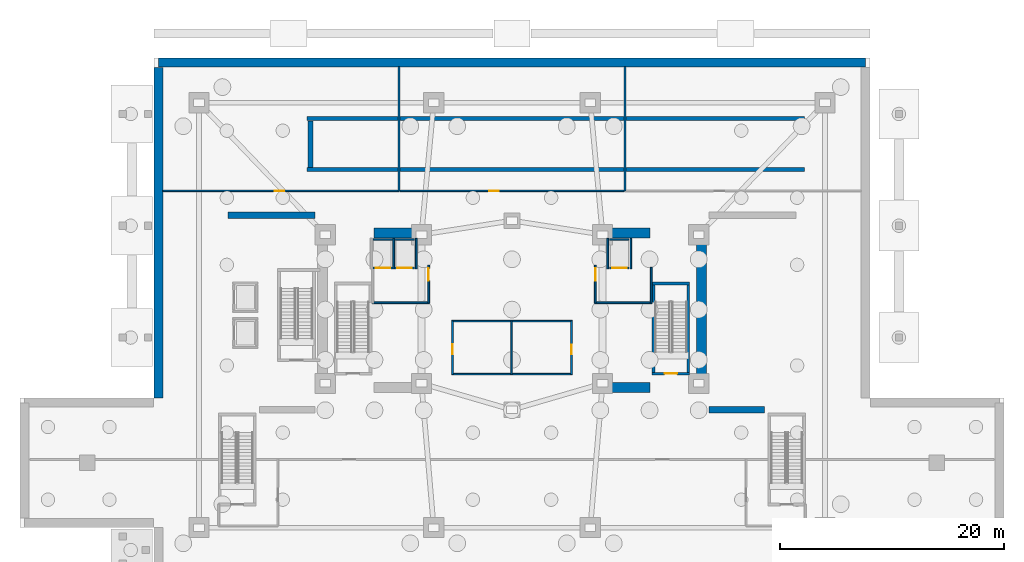
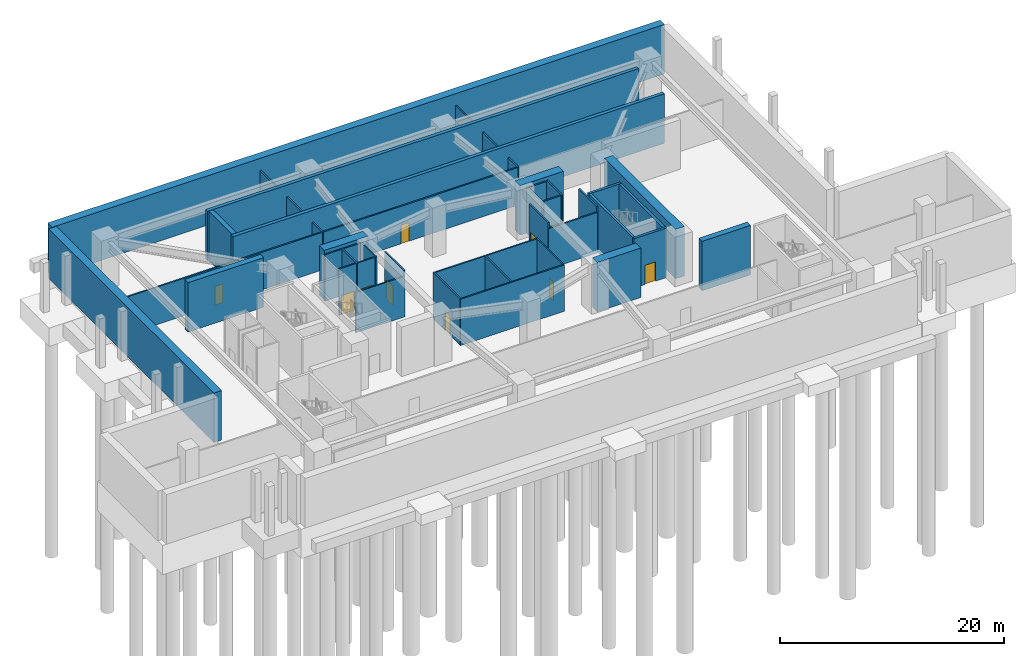
# One storey, part 4 of 9: 39 walls, 10 doors, 10 openings.
"""IFC4 building model written with IfcOpenShell, lengths in metres."""

from ifc_helpers import new_model, si_unit, direction, frame, frame_2d, origin, place, context, subcontext, project, spatial, rectangle, extrude, material, layer, layer_set, type_object, element, fill, save


model = new_model("IFC4")

# Units and contexts
model_context = context("Model", 3, precision=1e-05, world=origin(), true_north=direction((0.0, 1.0)))
body_context = subcontext(model_context, "Body", "Model", "MODEL_VIEW")
ifc_project = project(units=[si_unit("LENGTHUNIT", "METRE"), si_unit("AREAUNIT", "SQUARE_METRE"), si_unit("VOLUMEUNIT", "CUBIC_METRE"), si_unit("PLANEANGLEUNIT", "RADIAN"), si_unit("MASSUNIT", "GRAM", prefix="KILO")], contexts=[model_context])

# Site, building, storey
site_placement = place(None, origin())
site = spatial("IfcSite", under=ifc_project, at=site_placement, CompositionType="ELEMENT")
building_placement = place(site_placement, origin())
building = spatial("IfcBuilding", under=site, at=building_placement, Name="Solvane Sanctuary Tower", CompositionType="ELEMENT")
storey_placement = place(building_placement, frame((0.0, 0.0, -10.800048828125)))
storey = spatial("IfcBuildingStorey", under=building, at=storey_placement, Name="B02", CompositionType="ELEMENT", Elevation=-10.800048828125)

# Walls
ifc_material_1 = material(Name="Concrete C70/85", Category="concrete")
ifc_layer_1 = layer(ifc_material_1, 0.89990234375, Name="Concrete C70/85")
ifc_layer_set_1 = layer_set([ifc_layer_1], Name="Concrete C70/85")
wall_type_1 = type_object("IfcWallType", Name="Wall W-CORE-900", PredefinedType="SHEAR", material=ifc_layer_set_1)
wall_1_placement = place(storey_placement, frame((19.64990234375, 30.35009765625, 0.0), z_axis=(0.0, 0.0, 1.0), x_axis=(1.0, 0.0, 0.0)))
element("IfcWall", 1, at=wall_1_placement, inside=storey, type_object=wall_type_1, Name="B02 Core Shear Wall WC-N", PredefinedType="SHEAR", context=body_context, shape_type="SweptSolid", body=[
    extrude(rectangle(XDim=4.5, YDim=0.89990234375, at=frame_2d((2.25, 0.0))), origin(), (0.0, 0.0, 1.0), 5.400146484375),
])
wall_2_placement = place(storey_placement, frame((48.949951171875, 17.050048828125, 0.0), z_axis=(0.0, 0.0, 1.0), x_axis=(0.0, 1.0, 0.0)))
element("IfcWall", 2, at=wall_2_placement, inside=storey, type_object=wall_type_1, Name="B02 Core Shear Wall EC-E", PredefinedType="SHEAR", context=body_context, shape_type="SweptSolid", body=[
    extrude(rectangle(XDim=12.800048828125, YDim=0.89990234375, at=frame_2d((6.39990234375, 0.0))), origin(), (0.0, 0.0, 1.0), 5.400146484375),
])
for number, where, z_axis, x_axis, name in (
    (3, (39.85009765625, 16.550048828125, 0.0), (0.0, 0.0, 1.0), (1.0, 0.0, 0.0), "B02 Core Shear Wall EC-S"),
    (4, (39.85009765625, 30.35009765625, 0.0), (0.0, 0.0, 1.0), (1.0, 0.0, 0.0), "B02 Core Shear Wall EC-N"),
):
    element("IfcWall", number, at=place(storey_placement, frame(where, z_axis=z_axis, x_axis=x_axis)), inside=storey, type_object=wall_type_1, Name=name, PredefinedType="SHEAR", context=body_context, shape_type="SweptSolid", body=[
        extrude(rectangle(XDim=4.5, YDim=0.89990234375, at=frame_2d((2.25, 0.0))), origin(), (0.0, 0.0, 1.0), 5.400146484375),
    ])
ifc_material_2 = material(Name="Acoustic Gypsum Partition Board")
ifc_layer_2 = layer(ifc_material_2, 0.14990234375, Name="Acoustic Gypsum Partition Board")
ifc_layer_set_2 = layer_set([ifc_layer_2], Name="Acoustic Gypsum Partition Board")
wall_type_2 = type_object("IfcWallType", Name="Wall W-CORR-150", PredefinedType="PARTITIONING", material=ifc_layer_set_2)
wall_3_placement = place(storey_placement, frame((19.52001953125, 24.1201171875, 0.0), z_axis=(0.0, 0.0, 1.0), x_axis=(1.0, 0.0, 0.0)))
element("IfcWall", 5, at=wall_3_placement, inside=storey, type_object=wall_type_2, Name="B02 West Firefighting Lobby South Wall", PredefinedType="PARTITIONING", context=body_context, shape_type="SweptSolid", body=[
    extrude(rectangle(XDim=5.080078125, YDim=0.14990234375, at=frame_2d((2.5400390625, 0.0))), origin(), (0.0, 0.0, 1.0), 4.420166015625),
])

# Wall, opening, door
wall_4_placement = place(storey_placement, frame((24.550048828125, 24.080078125, 0.0), z_axis=(0.0, 0.0, 1.0), x_axis=(0.0, 1.0, 0.0)))
wall_4 = element("IfcWall", 6, at=wall_4_placement, inside=storey, type_object=wall_type_2, Name="B02 West Firefighting Lobby East Wall", PredefinedType="PARTITIONING", context=body_context, shape_type="SweptSolid", body=[
    extrude(rectangle(XDim=3.39990234375, YDim=0.14990234375, at=frame_2d((1.699951171875, 0.0))), origin(), (0.0, 0.0, 1.0), 5.054931640625),
])
opening_1_placement = place(wall_4_placement, frame((2.02001953125, 0.0, 0.0)))
opening_1 = element("IfcOpeningElement", 7, at=opening_1_placement, cuts=wall_4, Name="Opening D-B02-06", PredefinedType="OPENING", context=body_context, shape_type="SweptSolid", body=[
    extrude(rectangle(XDim=1.10009765625, YDim=2.10009765625, at=frame_2d((0.550048828125, 1.050048828125))), frame((0.0, 0.0849609375, 0.0), z_axis=(0.0, -1.0, 0.0), x_axis=(1.0, 0.0, 0.0)), (0.0, 0.0, 1.0), 0.169921875),
])
ifc_material_3 = material(Name="Architectural Stainless Steel 316", Category="steel")
door_type_1 = type_object("IfcDoorType", Name="Door D-FFL", OperationType="NOTDEFINED", PredefinedType="DOOR", material=ifc_material_3)
door_1_placement = place(opening_1_placement, origin())
door_1 = element("IfcDoor", 8, at=door_1_placement, inside=storey, type_object=door_type_1, Name="B02 West Firefighting Lobby Fire Door", OperationType="SINGLE_SWING_LEFT", OverallHeight=2.10009765625, OverallWidth=1.10009765625, PredefinedType="DOOR", context=body_context, shape_type="SweptSolid", body=[
    extrude(rectangle(XDim=1.10009765625, YDim=2.10009765625, at=frame_2d((0.550048828125, 1.050048828125))), frame((0.0, 0.02490234375, 0.0), z_axis=(0.0, -1.0, 0.0), x_axis=(1.0, 0.0, 0.0)), (0.0, 0.0, 1.0), 0.050048828125),
])
fill(opening_1, door_1)

# Walls
wall_5_placement = place(storey_placement, frame((39.39990234375, 24.1201171875, 0.0), z_axis=(0.0, 0.0, 1.0), x_axis=(1.0, 0.0, 0.0)))
element("IfcWall", 9, at=wall_5_placement, inside=storey, type_object=wall_type_2, Name="B02 East Firefighting Lobby South Wall", PredefinedType="PARTITIONING", context=body_context, shape_type="SweptSolid", body=[
    extrude(rectangle(XDim=5.080078125, YDim=0.14990234375, at=frame_2d((2.5400390625, 0.0))), origin(), (0.0, 0.0, 1.0), 4.420166015625),
])
wall_6_placement = place(storey_placement, frame((44.449951171875, 24.080078125, 0.0), z_axis=(0.0, 0.0, 1.0), x_axis=(0.0, 1.0, 0.0)))
element("IfcWall", 10, at=wall_6_placement, inside=storey, type_object=wall_type_2, Name="B02 East Firefighting Lobby East Wall", PredefinedType="PARTITIONING", context=body_context, shape_type="SweptSolid", body=[
    extrude(rectangle(XDim=3.199951171875, YDim=0.14990234375, at=frame_2d((1.60009765625, 0.0))), origin(), (0.0, 0.0, 1.0), 5.054931640625),
])

# Wall, opening, door
wall_7_placement = place(storey_placement, frame((39.449951171875, 24.080078125, 0.0), z_axis=(0.0, 0.0, 1.0), x_axis=(0.0, 1.0, 0.0)))
wall_7 = element("IfcWall", 11, at=wall_7_placement, inside=storey, type_object=wall_type_2, Name="B02 East Firefighting Lobby West Wall", PredefinedType="PARTITIONING", context=body_context, shape_type="SweptSolid", body=[
    extrude(rectangle(XDim=3.39990234375, YDim=0.14990234375, at=frame_2d((1.699951171875, 0.0))), origin(), (0.0, 0.0, 1.0), 5.054931640625),
])
opening_2_placement = place(wall_7_placement, frame((2.02001953125, 0.0, 0.0)))
opening_2 = element("IfcOpeningElement", 12, at=opening_2_placement, cuts=wall_7, Name="Opening D-B02-07", PredefinedType="OPENING", context=body_context, shape_type="SweptSolid", body=[
    extrude(rectangle(XDim=1.10009765625, YDim=2.10009765625, at=frame_2d((0.550048828125, 1.050048828125))), frame((0.0, 0.0849609375, 0.0), z_axis=(0.0, -1.0, 0.0), x_axis=(1.0, 0.0, 0.0)), (0.0, 0.0, 1.0), 0.169921875),
])
door_2_placement = place(opening_2_placement, origin())
door_2 = element("IfcDoor", 13, at=door_2_placement, inside=storey, type_object=door_type_1, Name="B02 East Firefighting Lobby Fire Door", OperationType="SINGLE_SWING_RIGHT", OverallHeight=2.10009765625, OverallWidth=1.10009765625, PredefinedType="DOOR", context=body_context, shape_type="SweptSolid", body=[
    extrude(rectangle(XDim=1.10009765625, YDim=2.10009765625, at=frame_2d((0.550048828125, 1.050048828125))), frame((0.0, 0.02490234375, 0.0), z_axis=(0.0, -1.0, 0.0), x_axis=(1.0, 0.0, 0.0)), (0.0, 0.0, 1.0), 0.050048828125),
])
fill(opening_2, door_2)

# Walls
for number, where, z_axis, x_axis, name in (
    (14, (21.89990234375, 34.1201171875, 0.0), (0.0, 0.0, 1.0), (0.0, 1.0, 0.0), "B02 Plant Dividing Wall 1"),
    (15, (42.10009765625, 34.1201171875, 0.0), (0.0, 0.0, 1.0), (0.0, 1.0, 0.0), "B02 Plant Dividing Wall 2"),
):
    element("IfcWall", number, at=place(storey_placement, frame(where, z_axis=z_axis, x_axis=x_axis)), inside=storey, type_object=wall_type_2, Name=name, PredefinedType="PARTITIONING", context=body_context, shape_type="SweptSolid", body=[
        extrude(rectangle(XDim=11.099853515625, YDim=0.14990234375, at=frame_2d((5.5498046875, 0.0))), origin(), (0.0, 0.0, 1.0), 4.10009765625),
    ])

# Wall, opening, door
wall_8_placement = place(storey_placement, frame((0.780029296875, 34.1201171875, 0.0), z_axis=(0.0, 0.0, 1.0), x_axis=(1.0, 0.0, 0.0)))
wall_8 = element("IfcWall", 16, at=wall_8_placement, inside=storey, type_object=wall_type_2, Name="B02 Chiller Corridor Wall", PredefinedType="PARTITIONING", context=body_context, shape_type="SweptSolid", body=[
    extrude(rectangle(XDim=21.070068359375, YDim=0.14990234375, at=frame_2d((10.53515625, 0.0))), origin(), (0.0, 0.0, 1.0), 4.10009765625),
])
opening_3_placement = place(wall_8_placement, frame((10.0, 0.0, 0.0)))
opening_3 = element("IfcOpeningElement", 17, at=opening_3_placement, cuts=wall_8, Name="Opening D-B02-10", PredefinedType="OPENING", context=body_context, shape_type="SweptSolid", body=[
    extrude(rectangle(XDim=0.85009765625, YDim=2.050048828125, at=frame_2d((0.425048828125, 1.02490234375))), frame((0.0, 0.0849609375, 0.0), z_axis=(0.0, -1.0, 0.0), x_axis=(1.0, 0.0, 0.0)), (0.0, 0.0, 1.0), 0.169921875),
])
door_type_2 = type_object("IfcDoorType", Name="Door D-RISER", OperationType="NOTDEFINED", PredefinedType="DOOR", material=ifc_material_3)
door_3_placement = place(opening_3_placement, origin())
door_3 = element("IfcDoor", 18, at=door_3_placement, inside=storey, type_object=door_type_2, Name="B02 Chiller Plant Door", OperationType="SINGLE_SWING_LEFT", OverallHeight=2.050048828125, OverallWidth=0.85009765625, PredefinedType="DOOR", context=body_context, shape_type="SweptSolid", body=[
    extrude(rectangle(XDim=0.85009765625, YDim=2.050048828125, at=frame_2d((0.425048828125, 1.02490234375))), frame((0.0, 0.02490234375, 0.0), z_axis=(0.0, -1.0, 0.0), x_axis=(1.0, 0.0, 0.0)), (0.0, 0.0, 1.0), 0.050048828125),
])
fill(opening_3, door_3)

wall_9_placement = place(storey_placement, frame((21.949951171875, 34.1201171875, 0.0), z_axis=(0.0, 0.0, 1.0), x_axis=(1.0, 0.0, 0.0)))
wall_9 = element("IfcWall", 19, at=wall_9_placement, inside=storey, type_object=wall_type_2, Name="B02 Pump Corridor Wall", PredefinedType="PARTITIONING", context=body_context, shape_type="SweptSolid", body=[
    extrude(rectangle(XDim=20.10009765625, YDim=0.14990234375, at=frame_2d((10.050048828125, 0.0))), origin(), (0.0, 0.0, 1.0), 4.10009765625),
])
opening_4_placement = place(wall_9_placement, frame((8.0, 0.0, 0.0)))
opening_4 = element("IfcOpeningElement", 20, at=opening_4_placement, cuts=wall_9, Name="Opening D-B02-11", PredefinedType="OPENING", context=body_context, shape_type="SweptSolid", body=[
    extrude(rectangle(XDim=0.85009765625, YDim=2.050048828125, at=frame_2d((0.425048828125, 1.02490234375))), frame((0.0, 0.0849609375, 0.0), z_axis=(0.0, -1.0, 0.0), x_axis=(1.0, 0.0, 0.0)), (0.0, 0.0, 1.0), 0.169921875),
])
door_4_placement = place(opening_4_placement, origin())
door_4 = element("IfcDoor", 21, at=door_4_placement, inside=storey, type_object=door_type_2, Name="B02 Pump Plant Door", OperationType="SINGLE_SWING_RIGHT", OverallHeight=2.050048828125, OverallWidth=0.85009765625, PredefinedType="DOOR", context=body_context, shape_type="SweptSolid", body=[
    extrude(rectangle(XDim=0.85009765625, YDim=2.050048828125, at=frame_2d((0.425048828125, 1.02490234375))), frame((0.0, 0.02490234375, 0.0), z_axis=(0.0, -1.0, 0.0), x_axis=(1.0, 0.0, 0.0)), (0.0, 0.0, 1.0), 0.050048828125),
])
fill(opening_4, door_4)

# Walls
ifc_material_4 = material(Name="Concrete C60/75", Category="concrete")
ifc_layer_3 = layer(ifc_material_4, 0.60009765625, Name="Concrete C60/75")
ifc_layer_set_3 = layer_set([ifc_layer_3], Name="Concrete C60/75")
wall_type_3 = type_object("IfcWallType", Name="Wall W-METRO-600", PredefinedType="SOLIDWALL", material=ifc_layer_set_3)
wall_10_placement = place(storey_placement, frame((49.60009765625, 14.550048828125, 0.0), z_axis=(0.0, 0.0, 1.0), x_axis=(1.0, 0.0, 0.0)))
element("IfcWall", 22, at=wall_10_placement, inside=storey, type_object=wall_type_3, Name="B02 Metro Station Box Wall MS2", PredefinedType="SOLIDWALL", context=body_context, shape_type="SweptSolid", body=[
    extrude(rectangle(XDim=5.0, YDim=0.60009765625, at=frame_2d((2.5, 0.0))), origin(), (0.0, 0.0, 1.0), 5.400146484375),
])
wall_11_placement = place(storey_placement, frame((6.60009765625, 31.949951171875, 0.0), z_axis=(0.0, 0.0, 1.0), x_axis=(1.0, 0.0, 0.0)))
element("IfcWall", 23, at=wall_11_placement, inside=storey, type_object=wall_type_3, Name="B02 Metro Station Box Wall MN1", PredefinedType="SOLIDWALL", context=body_context, shape_type="SweptSolid", body=[
    extrude(rectangle(XDim=7.7998046875, YDim=0.60009765625, at=frame_2d((3.89990234375, 0.0))), origin(), (0.0, 0.0, 1.0), 5.400146484375),
])
ifc_material_5 = material(Name="Concrete C50/60", Category="concrete")
ifc_layer_4 = layer(ifc_material_5, 0.35009765625, Name="Concrete C50/60")
ifc_layer_set_4 = layer_set([ifc_layer_4], Name="Concrete C50/60")
wall_type_4 = type_object("IfcWallType", Name="Wall W-RAMP-350", PredefinedType="SOLIDWALL", material=ifc_layer_set_4)
wall_12_placement = place(storey_placement, frame((14.0, 36.219970703125, 0.0), z_axis=(0.0, 0.0, 1.0), x_axis=(0.0, 1.0, 0.0)))
element("IfcWall", 24, at=wall_12_placement, inside=storey, type_object=wall_type_4, Name="B02 Service Ramp Toe Bearing Wall", PredefinedType="SOLIDWALL", context=body_context, shape_type="SweptSolid", body=[
    extrude(rectangle(XDim=4.159912109375, YDim=0.449951171875, at=frame_2d((2.080078125, 0.0))), origin(), (0.0, 0.0, 1.0), 5.400146484375),
])
for number, where, z_axis, x_axis, name in (
    (25, (13.64990234375, 36.02001953125, 0.0), (0.0, 0.0, 1.0), (1.0, 0.0, 0.0), "B02 Service Ramp Enclosure Wall S"),
    (26, (13.64990234375, 40.580078125, 0.0), (0.0, 0.0, 1.0), (1.0, 0.0, 0.0), "B02 Service Ramp Enclosure Wall N"),
):
    element("IfcWall", number, at=place(storey_placement, frame(where, z_axis=z_axis, x_axis=x_axis)), inside=storey, type_object=wall_type_4, Name=name, PredefinedType="SOLIDWALL", context=body_context, shape_type="SweptSolid", body=[
        extrude(rectangle(XDim=44.530029296875, YDim=0.35009765625, at=frame_2d((22.26513671875, 0.0))), origin(), (0.0, 0.0, 1.0), 5.400146484375),
    ])
ifc_layer_5 = layer(ifc_material_4, 0.800048828125, Name="Concrete C60/75")
ifc_layer_set_5 = layer_set([ifc_layer_5], Name="Concrete C60/75")
wall_type_5 = type_object("IfcWallType", Name="Wall W-RET-800", PredefinedType="USERDEFINED", material=ifc_layer_set_5)
wall_13_placement = place(storey_placement, frame((63.60009765625, 45.60009765625, 0.0), z_axis=(0.0, 0.0, 1.0), x_axis=(-1.0, 0.0, 0.0)))
element("IfcWall", 27, at=wall_13_placement, inside=storey, type_object=wall_type_5, Name="B02 Perimeter Retaining Wall N", ObjectType="RETAININGWALL", PredefinedType="USERDEFINED", context=body_context, shape_type="SweptSolid", body=[
    extrude(rectangle(XDim=63.2001953125, YDim=0.800048828125, at=frame_2d((31.60009765625, 0.0))), origin(), (0.0, 0.0, 1.0), 5.400146484375),
])
wall_14_placement = place(storey_placement, frame((0.39990234375, 45.14990234375, 0.0), z_axis=(0.0, 0.0, 1.0), x_axis=(0.0, -1.0, 0.0)))
element("IfcWall", 28, at=wall_14_placement, inside=storey, type_object=wall_type_5, Name="B02 Perimeter Retaining Wall WN2", ObjectType="RETAININGWALL", PredefinedType="USERDEFINED", context=body_context, shape_type="SweptSolid", body=[
    extrude(rectangle(XDim=29.5498046875, YDim=0.800048828125, at=frame_2d((14.77490234375, 0.0))), origin(), (0.0, 0.0, 1.0), 5.400146484375),
])

# Wall, opening, door
ifc_layer_6 = layer(ifc_material_5, 0.14990234375, Name="Concrete C50/60")
ifc_layer_set_6 = layer_set([ifc_layer_6], Name="Concrete C50/60")
wall_type_6 = type_object("IfcWallType", Name="Wall W-SHAFT-150", PredefinedType="SOLIDWALL", material=ifc_layer_set_6)
wall_15_placement = place(storey_placement, frame((19.590087890625, 27.219970703125, 0.0), z_axis=(0.0, 0.0, 1.0), x_axis=(1.0, 0.0, 0.0)))
wall_15 = element("IfcWall", 29, at=wall_15_placement, inside=storey, type_object=wall_type_6, Name="B02 FFL-1 Lift Shaft Wall F", PredefinedType="SOLIDWALL", context=body_context, shape_type="SweptSolid", body=[
    extrude(rectangle(XDim=1.760009765625, YDim=0.14990234375, at=frame_2d((0.8798828125, 0.0))), origin(), (0.0, 0.0, 1.0), 5.054931640625),
])
opening_5_placement = place(wall_15_placement, frame((0.22998046875, 0.0, 0.0)))
opening_5 = element("IfcOpeningElement", 30, at=opening_5_placement, cuts=wall_15, Name="Opening LD-B02-01", PredefinedType="OPENING", context=body_context, shape_type="SweptSolid", body=[
    extrude(rectangle(XDim=1.300048828125, YDim=2.10009765625, at=frame_2d((0.64990234375, 1.050048828125))), frame((0.0, 0.0849609375, 0.0), z_axis=(0.0, -1.0, 0.0), x_axis=(1.0, 0.0, 0.0)), (0.0, 0.0, 1.0), 0.169921875),
])
door_type_3 = type_object("IfcDoorType", Name="Door LD-FFL-1300", OperationType="NOTDEFINED", PredefinedType="DOOR", material=ifc_material_3)
door_5_placement = place(opening_5_placement, origin())
door_5 = element("IfcDoor", 31, at=door_5_placement, inside=storey, type_object=door_type_3, Name="B02 FFL-1 Lift Landing Door", OperationType="DOUBLE_DOOR_SLIDING", OverallHeight=2.10009765625, OverallWidth=1.300048828125, PredefinedType="DOOR", context=body_context, shape_type="SweptSolid", body=[
    extrude(rectangle(XDim=1.300048828125, YDim=2.10009765625, at=frame_2d((0.64990234375, 1.050048828125))), frame((0.0, 0.02490234375, 0.0), z_axis=(0.0, -1.0, 0.0), x_axis=(1.0, 0.0, 0.0)), (0.0, 0.0, 1.0), 0.050048828125),
])
fill(opening_5, door_5)

# Walls
wall_16_placement = place(storey_placement, frame((19.590087890625, 29.780029296875, 0.0), z_axis=(0.0, 0.0, 1.0), x_axis=(1.0, 0.0, 0.0)))
element("IfcWall", 32, at=wall_16_placement, inside=storey, type_object=wall_type_6, Name="B02 FFL-1 Lift Shaft Wall B", PredefinedType="SOLIDWALL", context=body_context, shape_type="SweptSolid", body=[
    extrude(rectangle(XDim=1.760009765625, YDim=0.14990234375, at=frame_2d((0.8798828125, 0.0))), origin(), (0.0, 0.0, 1.0), 5.054931640625),
])
wall_17_placement = place(storey_placement, frame((21.425048828125, 27.139892578125, 0.0), z_axis=(0.0, 0.0, 1.0), x_axis=(0.0, 1.0, 0.0)))
element("IfcWall", 33, at=wall_17_placement, inside=storey, type_object=wall_type_6, Name="B02 FFL-1 Lift Shaft Wall S2", PredefinedType="SOLIDWALL", context=body_context, shape_type="SweptSolid", body=[
    extrude(rectangle(XDim=2.72021484375, YDim=0.14990234375, at=frame_2d((1.360107421875, 0.0))), origin(), (0.0, 0.0, 1.0), 5.054931640625),
])

# Wall, opening, door
wall_18_placement = place(storey_placement, frame((21.5, 27.219970703125, 0.0), z_axis=(0.0, 0.0, 1.0), x_axis=(1.0, 0.0, 0.0)))
wall_18 = element("IfcWall", 34, at=wall_18_placement, inside=storey, type_object=wall_type_6, Name="B02 SVL-1 Lift Shaft Wall F", PredefinedType="SOLIDWALL", context=body_context, shape_type="SweptSolid", body=[
    extrude(rectangle(XDim=1.760009765625, YDim=0.14990234375, at=frame_2d((0.8798828125, 0.0))), origin(), (0.0, 0.0, 1.0), 5.054931640625),
])
opening_6_placement = place(wall_18_placement, frame((0.22998046875, 0.0, 0.0)))
opening_6 = element("IfcOpeningElement", 35, at=opening_6_placement, cuts=wall_18, Name="Opening LD-B02-02", PredefinedType="OPENING", context=body_context, shape_type="SweptSolid", body=[
    extrude(rectangle(XDim=1.300048828125, YDim=2.10009765625, at=frame_2d((0.64990234375, 1.050048828125))), frame((0.0, 0.0849609375, 0.0), z_axis=(0.0, -1.0, 0.0), x_axis=(1.0, 0.0, 0.0)), (0.0, 0.0, 1.0), 0.169921875),
])
door_6_placement = place(opening_6_placement, origin())
door_6 = element("IfcDoor", 36, at=door_6_placement, inside=storey, type_object=door_type_3, Name="B02 SVL-1 Lift Landing Door", OperationType="DOUBLE_DOOR_SLIDING", OverallHeight=2.10009765625, OverallWidth=1.300048828125, PredefinedType="DOOR", context=body_context, shape_type="SweptSolid", body=[
    extrude(rectangle(XDim=1.300048828125, YDim=2.10009765625, at=frame_2d((0.64990234375, 1.050048828125))), frame((0.0, 0.02490234375, 0.0), z_axis=(0.0, -1.0, 0.0), x_axis=(1.0, 0.0, 0.0)), (0.0, 0.0, 1.0), 0.050048828125),
])
fill(opening_6, door_6)

# Walls
wall_19_placement = place(storey_placement, frame((21.5, 29.780029296875, 0.0), z_axis=(0.0, 0.0, 1.0), x_axis=(1.0, 0.0, 0.0)))
element("IfcWall", 37, at=wall_19_placement, inside=storey, type_object=wall_type_6, Name="B02 SVL-1 Lift Shaft Wall B", PredefinedType="SOLIDWALL", context=body_context, shape_type="SweptSolid", body=[
    extrude(rectangle(XDim=1.760009765625, YDim=0.14990234375, at=frame_2d((0.8798828125, 0.0))), origin(), (0.0, 0.0, 1.0), 5.054931640625),
])
wall_20_placement = place(storey_placement, frame((23.429931640625, 27.139892578125, 0.0), z_axis=(0.0, 0.0, 1.0), x_axis=(0.0, 1.0, 0.0)))
element("IfcWall", 38, at=wall_20_placement, inside=storey, type_object=wall_type_6, Name="B02 SVL-1 Lift Shaft Wall S2", PredefinedType="SOLIDWALL", context=body_context, shape_type="SweptSolid", body=[
    extrude(rectangle(XDim=2.72021484375, YDim=0.14990234375, at=frame_2d((1.360107421875, 0.0))), origin(), (0.0, 0.0, 1.0), 5.054931640625),
])

# Wall, opening, door
wall_21_placement = place(storey_placement, frame((40.739990234375, 27.219970703125, 0.0), z_axis=(0.0, 0.0, 1.0), x_axis=(1.0, 0.0, 0.0)))
wall_21 = element("IfcWall", 39, at=wall_21_placement, inside=storey, type_object=wall_type_6, Name="B02 FFL-2 Lift Shaft Wall F", PredefinedType="SOLIDWALL", context=body_context, shape_type="SweptSolid", body=[
    extrude(rectangle(XDim=1.719970703125, YDim=0.14990234375, at=frame_2d((0.85986328125, 0.0))), origin(), (0.0, 0.0, 1.0), 5.054931640625),
])
opening_7_placement = place(wall_21_placement, frame((0.2099609375, 0.0, 0.0)))
opening_7 = element("IfcOpeningElement", 40, at=opening_7_placement, cuts=wall_21, Name="Opening LD-B02-03", PredefinedType="OPENING", context=body_context, shape_type="SweptSolid", body=[
    extrude(rectangle(XDim=1.300048828125, YDim=2.10009765625, at=frame_2d((0.64990234375, 1.050048828125))), frame((0.0, 0.0849609375, 0.0), z_axis=(0.0, -1.0, 0.0), x_axis=(1.0, 0.0, 0.0)), (0.0, 0.0, 1.0), 0.169921875),
])
door_7_placement = place(opening_7_placement, origin())
door_7 = element("IfcDoor", 41, at=door_7_placement, inside=storey, type_object=door_type_3, Name="B02 FFL-2 Lift Landing Door", OperationType="DOUBLE_DOOR_SLIDING", OverallHeight=2.10009765625, OverallWidth=1.300048828125, PredefinedType="DOOR", context=body_context, shape_type="SweptSolid", body=[
    extrude(rectangle(XDim=1.300048828125, YDim=2.10009765625, at=frame_2d((0.64990234375, 1.050048828125))), frame((0.0, 0.02490234375, 0.0), z_axis=(0.0, -1.0, 0.0), x_axis=(1.0, 0.0, 0.0)), (0.0, 0.0, 1.0), 0.050048828125),
])
fill(opening_7, door_7)

# Walls
wall_22_placement = place(storey_placement, frame((40.739990234375, 29.780029296875, 0.0), z_axis=(0.0, 0.0, 1.0), x_axis=(1.0, 0.0, 0.0)))
element("IfcWall", 42, at=wall_22_placement, inside=storey, type_object=wall_type_6, Name="B02 FFL-2 Lift Shaft Wall B", PredefinedType="SOLIDWALL", context=body_context, shape_type="SweptSolid", body=[
    extrude(rectangle(XDim=1.719970703125, YDim=0.14990234375, at=frame_2d((0.85986328125, 0.0))), origin(), (0.0, 0.0, 1.0), 5.054931640625),
])
for number, where, z_axis, x_axis, name in (
    (43, (40.570068359375, 27.139892578125, 0.0), (0.0, 0.0, 1.0), (0.0, 1.0, 0.0), "B02 FFL-2 Lift Shaft Wall S1"),
    (44, (42.6298828125, 27.139892578125, 0.0), (0.0, 0.0, 1.0), (0.0, 1.0, 0.0), "B02 FFL-2 Lift Shaft Wall S2"),
):
    element("IfcWall", number, at=place(storey_placement, frame(where, z_axis=z_axis, x_axis=x_axis)), inside=storey, type_object=wall_type_6, Name=name, PredefinedType="SOLIDWALL", context=body_context, shape_type="SweptSolid", body=[
        extrude(rectangle(XDim=2.72021484375, YDim=0.14990234375, at=frame_2d((1.360107421875, 0.0))), origin(), (0.0, 0.0, 1.0), 5.054931640625),
    ])

# Wall, opening, door
ifc_layer_7 = layer(ifc_material_5, 0.25, Name="Concrete C50/60")
ifc_layer_set_7 = layer_set([ifc_layer_7], Name="Concrete C50/60")
wall_type_7 = type_object("IfcWallType", Name="Wall W-SHAFT-250", PredefinedType="SOLIDWALL", material=ifc_layer_set_7)
wall_23_placement = place(storey_placement, frame((44.52490234375, 17.77001953125, 0.0), z_axis=(0.0, 0.0, 1.0), x_axis=(1.0, 0.0, 0.0)))
wall_23 = element("IfcWall", 45, at=wall_23_placement, inside=storey, type_object=wall_type_7, Name="B02 ST-2 Load-Bearing Shaft Wall S", PredefinedType="SOLIDWALL", context=body_context, shape_type="SweptSolid", body=[
    extrude(rectangle(XDim=3.3701171875, YDim=0.25, at=frame_2d((1.68505859375, 0.0))), origin(), (0.0, 0.0, 1.0), 5.400146484375),
])
opening_8_placement = place(wall_23_placement, frame((1.135009765625, 0.0, 0.0)))
opening_8 = element("IfcOpeningElement", 46, at=opening_8_placement, cuts=wall_23, Name="Opening D-B02-02", PredefinedType="OPENING", context=body_context, shape_type="SweptSolid", body=[
    extrude(rectangle(XDim=1.10009765625, YDim=2.10009765625, at=frame_2d((0.550048828125, 1.050048828125))), frame((0.0, 0.135009765625, 0.0), z_axis=(0.0, -1.0, 0.0), x_axis=(1.0, 0.0, 0.0)), (0.0, 0.0, 1.0), 0.27001953125),
])
door_type_4 = type_object("IfcDoorType", Name="Door D-STAIR", OperationType="NOTDEFINED", PredefinedType="DOOR", material=ifc_material_3)
door_8_placement = place(opening_8_placement, origin())
door_8 = element("IfcDoor", 47, at=door_8_placement, inside=storey, type_object=door_type_4, Name="B02 ST-2 Exit Stair Fire Door", OperationType="SINGLE_SWING_RIGHT", OverallHeight=2.10009765625, OverallWidth=1.10009765625, PredefinedType="DOOR", context=body_context, shape_type="SweptSolid", body=[
    extrude(rectangle(XDim=1.10009765625, YDim=2.10009765625, at=frame_2d((0.550048828125, 1.050048828125))), frame((0.0, 0.02490234375, 0.0), z_axis=(0.0, -1.0, 0.0), x_axis=(1.0, 0.0, 0.0)), (0.0, 0.0, 1.0), 0.050048828125),
])
fill(opening_8, door_8)

# Walls
wall_24_placement = place(storey_placement, frame((44.52490234375, 25.830078125, 0.0), z_axis=(0.0, 0.0, 1.0), x_axis=(1.0, 0.0, 0.0)))
element("IfcWall", 48, at=wall_24_placement, inside=storey, type_object=wall_type_7, Name="B02 ST-2 Load-Bearing Shaft Wall N", PredefinedType="SOLIDWALL", context=body_context, shape_type="SweptSolid", body=[
    extrude(rectangle(XDim=3.3701171875, YDim=0.25, at=frame_2d((1.68505859375, 0.0))), origin(), (0.0, 0.0, 1.0), 5.400146484375),
])
for number, where, z_axis, x_axis, name in (
    (49, (44.64990234375, 17.89501953125, 0.0), (0.0, 0.0, 1.0), (0.0, 1.0, 0.0), "B02 ST-2 Load-Bearing Shaft Wall W"),
    (50, (47.77001953125, 17.89501953125, 0.0), (0.0, 0.0, 1.0), (0.0, 1.0, 0.0), "B02 ST-2 Load-Bearing Shaft Wall E"),
):
    element("IfcWall", number, at=place(storey_placement, frame(where, z_axis=z_axis, x_axis=x_axis)), inside=storey, type_object=wall_type_7, Name=name, PredefinedType="SOLIDWALL", context=body_context, shape_type="SweptSolid", body=[
        extrude(rectangle(XDim=7.81005859375, YDim=0.25, at=frame_2d((3.905029296875, 0.0))), origin(), (0.0, 0.0, 1.0), 5.400146484375),
    ])
ifc_layer_8 = layer(ifc_material_2, 0.139892578125, Name="Acoustic Gypsum Partition Board")
ifc_layer_set_8 = layer_set([ifc_layer_8], Name="Acoustic Gypsum Partition Board")
wall_type_8 = type_object("IfcWallType", Name="Wall W-WET-140", PredefinedType="PLUMBINGWALL", material=ifc_layer_set_8)
for number, where, z_axis, x_axis, name in (
    (51, (26.6201171875, 17.72998046875, 0.0), (0.0, 0.0, 1.0), (1.0, 0.0, 0.0), "B02 Core Block South Wall"),
    (52, (26.6201171875, 22.469970703125, 0.0), (0.0, 0.0, 1.0), (1.0, 0.0, 0.0), "B02 Core Block North Wall"),
):
    element("IfcWall", number, at=place(storey_placement, frame(where, z_axis=z_axis, x_axis=x_axis)), inside=storey, type_object=wall_type_8, Name=name, PredefinedType="PLUMBINGWALL", context=body_context, shape_type="SweptSolid", body=[
        extrude(rectangle(XDim=10.759765625, YDim=0.139892578125, at=frame_2d((5.3798828125, 0.0))), origin(), (0.0, 0.0, 1.0), 5.054931640625),
    ])
wall_25_placement = place(storey_placement, frame((31.949951171875, 17.699951171875, 0.0), z_axis=(0.0, 0.0, 1.0), x_axis=(0.0, 1.0, 0.0)))
element("IfcWall", 53, at=wall_25_placement, inside=storey, type_object=wall_type_8, Name="B02 WC Store Dividing Wall", PredefinedType="PLUMBINGWALL", context=body_context, shape_type="SweptSolid", body=[
    extrude(rectangle(XDim=4.800048828125, YDim=0.139892578125, at=frame_2d((2.39990234375, 0.0))), origin(), (0.0, 0.0, 1.0), 5.054931640625),
])

# Wall, opening, door
wall_26_placement = place(storey_placement, frame((26.679931640625, 17.699951171875, 0.0), z_axis=(0.0, 0.0, 1.0), x_axis=(0.0, 1.0, 0.0)))
wall_26 = element("IfcWall", 54, at=wall_26_placement, inside=storey, type_object=wall_type_8, Name="B02 Accessible WC West Wall", PredefinedType="PLUMBINGWALL", context=body_context, shape_type="SweptSolid", body=[
    extrude(rectangle(XDim=4.800048828125, YDim=0.139892578125, at=frame_2d((2.39990234375, 0.0))), origin(), (0.0, 0.0, 1.0), 5.054931640625),
])
opening_9_placement = place(wall_26_placement, frame((1.800048828125, 0.0, 0.0)))
opening_9 = element("IfcOpeningElement", 55, at=opening_9_placement, cuts=wall_26, Name="Opening D-B02-15", PredefinedType="OPENING", context=body_context, shape_type="SweptSolid", body=[
    extrude(rectangle(XDim=0.89990234375, YDim=2.10009765625, at=frame_2d((0.449951171875, 1.050048828125))), frame((0.0, 0.079833984375, 0.0), z_axis=(0.0, -1.0, 0.0), x_axis=(1.0, 0.0, 0.0)), (0.0, 0.0, 1.0), 0.159912109375),
])
ifc_material_6 = material(Name="Engineered Tropical Hardwood", Category="wood")
door_type_5 = type_object("IfcDoorType", Name="Door D-WET-900", OperationType="NOTDEFINED", PredefinedType="DOOR", material=ifc_material_6)
door_9_placement = place(opening_9_placement, origin())
door_9 = element("IfcDoor", 56, at=door_9_placement, inside=storey, type_object=door_type_5, Name="B02 Accessible WC Door", OperationType="SINGLE_SWING_RIGHT", OverallHeight=2.10009765625, OverallWidth=0.89990234375, PredefinedType="DOOR", context=body_context, shape_type="SweptSolid", body=[
    extrude(rectangle(XDim=0.89990234375, YDim=2.10009765625, at=frame_2d((0.449951171875, 1.050048828125))), frame((0.0, 0.02490234375, 0.0), z_axis=(0.0, -1.0, 0.0), x_axis=(1.0, 0.0, 0.0)), (0.0, 0.0, 1.0), 0.050048828125),
])
fill(opening_9, door_9)

wall_27_placement = place(storey_placement, frame((37.320068359375, 17.699951171875, 0.0), z_axis=(0.0, 0.0, 1.0), x_axis=(0.0, 1.0, 0.0)))
wall_27 = element("IfcWall", 57, at=wall_27_placement, inside=storey, type_object=wall_type_8, Name="B02 Maintenance Store East Wall", PredefinedType="PLUMBINGWALL", context=body_context, shape_type="SweptSolid", body=[
    extrude(rectangle(XDim=4.800048828125, YDim=0.139892578125, at=frame_2d((2.39990234375, 0.0))), origin(), (0.0, 0.0, 1.0), 5.054931640625),
])
opening_10_placement = place(wall_27_placement, frame((1.800048828125, 0.0, 0.0)))
opening_10 = element("IfcOpeningElement", 58, at=opening_10_placement, cuts=wall_27, Name="Opening D-B02-16", PredefinedType="OPENING", context=body_context, shape_type="SweptSolid", body=[
    extrude(rectangle(XDim=0.85009765625, YDim=2.050048828125, at=frame_2d((0.425048828125, 1.02490234375))), frame((0.0, 0.079833984375, 0.0), z_axis=(0.0, -1.0, 0.0), x_axis=(1.0, 0.0, 0.0)), (0.0, 0.0, 1.0), 0.159912109375),
])
door_10_placement = place(opening_10_placement, origin())
door_10 = element("IfcDoor", 59, at=door_10_placement, inside=storey, type_object=door_type_2, Name="B02 Maintenance Store Door", OperationType="SINGLE_SWING_LEFT", OverallHeight=2.050048828125, OverallWidth=0.85009765625, PredefinedType="DOOR", context=body_context, shape_type="SweptSolid", body=[
    extrude(rectangle(XDim=0.85009765625, YDim=2.050048828125, at=frame_2d((0.425048828125, 1.02490234375))), frame((0.0, 0.02490234375, 0.0), z_axis=(0.0, -1.0, 0.0), x_axis=(1.0, 0.0, 0.0)), (0.0, 0.0, 1.0), 0.050048828125),
])
fill(opening_10, door_10)

save(model, "model.ifc")
